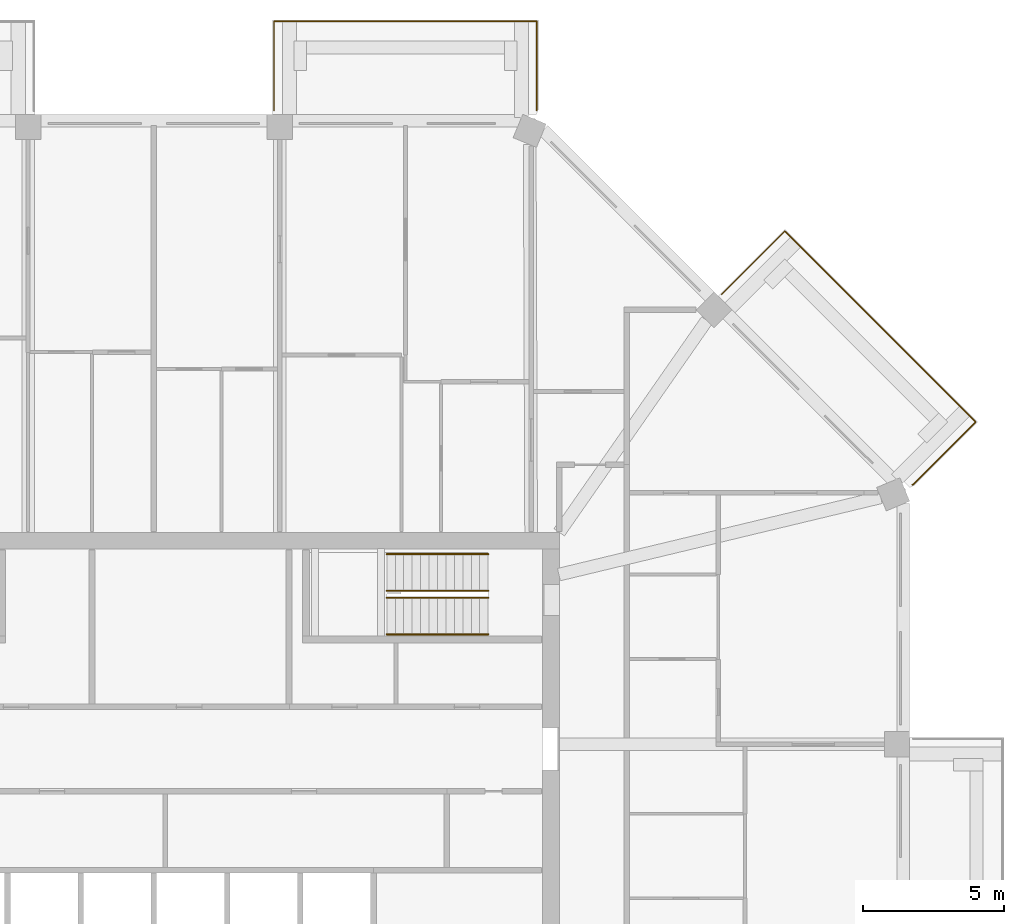
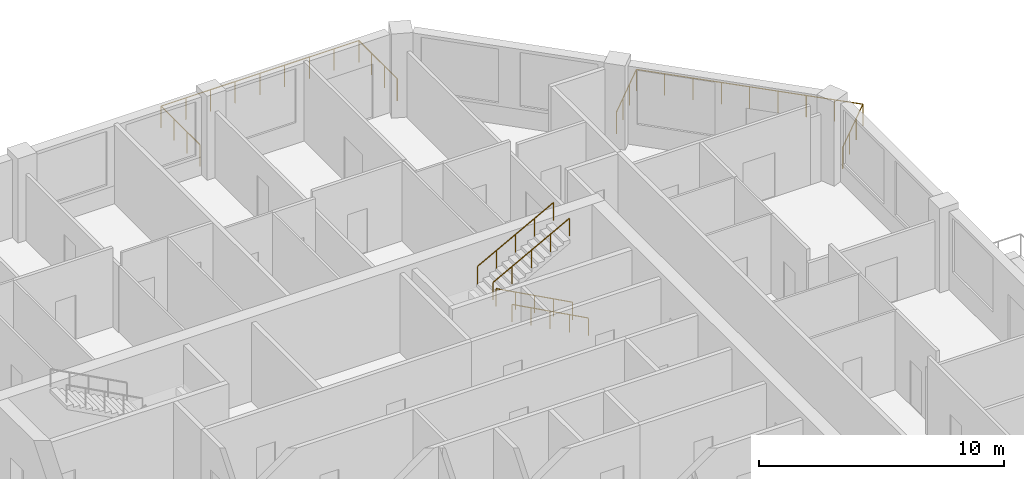
# One storey, part 13 of 13: 6 railings.
"""IFC4 building model written with IfcOpenShell, lengths in metres."""

import ifcopenshell
import ifcopenshell.guid

model = None  # the IFC model being written
_history = None  # IfcOwnerHistory: only IFC2X3 demands one
_inside = {}  # id of a spatial element -> (the spatial element, [elements in it])
_under = {}  # id of a project, library or spatial element -> (it, [spatial elements below it])
_declared = {}  # id of a project -> (the project, [libraries it declares])
_typed = {}  # id of a type object -> (the type object, [elements of that type])
_made_of = {}  # id of a material, layer set ... -> (it, [elements and type objects made of it])


def new_model(schema):
    """Start an empty IFC model of exactly this schema.

    Asked for "IFC4X3", IfcOpenShell would pick the latest addendum, in which some entities
    have other attributes; the version numbers below select the first issue.
    IFC2X3 requires an IfcOwnerHistory on every rooted entity: one is made here for all.
    """
    global model, _history
    if schema == "IFC4X3":
        model = ifcopenshell.file(schema_version=(4, 3, 0, 0))
    else:
        model = ifcopenshell.file(schema=schema)
    _inside.clear()
    _under.clear()
    _declared.clear()
    _typed.clear()
    _made_of.clear()
    _history = None
    if model.schema == "IFC2X3":
        org = make("IfcOrganization", Name="unknown")
        user = make(
            "IfcPersonAndOrganization",
            ThePerson=make("IfcPerson", FamilyName="unknown"),
            TheOrganization=org,
        )
        app = make(
            "IfcApplication",
            ApplicationDeveloper=org,
            Version="unknown",
            ApplicationFullName="unknown",
            ApplicationIdentifier="unknown",
        )
        _history = make(
            "IfcOwnerHistory",
            OwningUser=user,
            OwningApplication=app,
            ChangeAction="ADDED",
            CreationDate=0,
        )
    return model


def make(cls, **values):
    """One entity of the class cls with the attributes given. An attribute that is None is left unset."""
    return model.create_entity(
        cls, **{name: value for name, value in values.items() if value is not None}
    )


def rooted(cls, **values):
    """An entity with a GlobalId (a new one), such as an element, a storey or a relation."""
    return make(cls, GlobalId=ifcopenshell.guid.new(), OwnerHistory=_history, **values)


def si_unit(unit_type, name, prefix=None):
    """IfcSIUnit, for example si_unit("LENGTHUNIT", "METRE", prefix="MILLI")."""
    return make("IfcSIUnit", UnitType=unit_type, Prefix=prefix, Name=name)


def assignment(units):
    """IfcUnitAssignment: the units of a project."""
    return None if units is None else make("IfcUnitAssignment", Units=units)


def point(xyz):
    """IfcCartesianPoint."""
    return None if xyz is None else make("IfcCartesianPoint", Coordinates=xyz)


def direction(xyz):
    """IfcDirection."""
    return None if xyz is None else make("IfcDirection", DirectionRatios=xyz)


def frame(location, z_axis=None, x_axis=None):
    """IfcAxis2Placement3D, a coordinate frame: its origin and axes. An axis left out is left unset."""
    return make(
        "IfcAxis2Placement3D",
        Location=point(location),
        Axis=direction(z_axis),
        RefDirection=direction(x_axis),
    )


def frame_2d(location, x_axis=None):
    """IfcAxis2Placement2D, a coordinate frame in the plane: its origin and x axis."""
    return make(
        "IfcAxis2Placement2D", Location=point(location), RefDirection=direction(x_axis)
    )


def origin():
    """The frame at (0, 0, 0) with its axes left unset."""
    return frame((0.0, 0.0, 0.0))


def origin_2d():
    """The frame at (0, 0) in the plane with its x axis left unset."""
    return frame_2d((0.0, 0.0))


def place(relative_to, where):
    """IfcLocalPlacement: puts the frame where relative to a parent placement (None: the world)."""
    return make(
        "IfcLocalPlacement", PlacementRelTo=relative_to, RelativePlacement=where
    )


def context(
    kind, dimensions, precision=None, world=None, true_north=None, identifier=None
):
    """IfcGeometricRepresentationContext, for example the 3D "Model" context."""
    return make(
        "IfcGeometricRepresentationContext",
        ContextIdentifier=identifier,
        ContextType=kind,
        CoordinateSpaceDimension=dimensions,
        Precision=precision,
        WorldCoordinateSystem=world,
        TrueNorth=true_north,
    )


def subcontext(parent, identifier, kind, view, scale=None):
    """IfcGeometricRepresentationSubContext, for example "Body" below "Model"."""
    return make(
        "IfcGeometricRepresentationSubContext",
        ContextIdentifier=identifier,
        ContextType=kind,
        ParentContext=parent,
        TargetScale=scale,
        TargetView=view,
    )


def project(units=None, contexts=None):
    """IfcProject with its units and contexts."""
    return rooted(
        "IfcProject",
        Name="project",
        RepresentationContexts=contexts,
        UnitsInContext=assignment(units),
    )


def spatial(cls, under=None, at=None, **own):
    """A site, building, storey or space (cls), placed at a placement, below another one or the project."""
    s = rooted(cls, ObjectPlacement=at, **own)
    if under is not None:
        _under.setdefault(under.id(), (under, []))[1].append(s)
    return s


def profile(cls, at=None, kind="AREA", **sizes):
    """A parametric profile (cls). Its sizes go by their IFC names, for example OverallWidth=200.0."""
    return make(cls, ProfileType=kind, Position=at, **sizes)


def circle(**sizes):
    """IfcCircleProfileDef."""
    return profile("IfcCircleProfileDef", **sizes)


def extrude(swept, where, along, depth):
    """IfcExtrudedAreaSolid: the profile swept, set in the frame where, extruded along a direction by depth."""
    return make(
        "IfcExtrudedAreaSolid",
        SweptArea=swept,
        Position=where,
        ExtrudedDirection=direction(along),
        Depth=depth,
    )


def shape(context_of_items, identifier, shape_type, items):
    """IfcShapeRepresentation: the items that make up one representation, for example the "Body"."""
    return make(
        "IfcShapeRepresentation",
        ContextOfItems=context_of_items,
        RepresentationIdentifier=identifier,
        RepresentationType=shape_type,
        Items=items,
    )


def material(Name=None, Category=None):
    """IfcMaterial."""
    return make("IfcMaterial", Name=Name, Category=Category)


def constituent(of_material, Name=None, Category=None, fraction=None):
    """IfcMaterialConstituent: one of the materials an element consists of."""
    return make(
        "IfcMaterialConstituent",
        Name=Name,
        Material=of_material,
        Fraction=fraction,
        Category=Category,
    )


def constituent_set(constituents=None, Name=None):
    """IfcMaterialConstituentSet."""
    return make(
        "IfcMaterialConstituentSet", Name=Name, MaterialConstituents=constituents
    )


def made_of(thing, what):
    """Note that an element or type object is made of a material, layer set ...; save() writes the relation."""
    if what is not None:
        _made_of.setdefault(what.id(), (what, []))[1].append(thing)
    return thing


def type_object(cls, material=None, **own):
    """A type object (cls), such as IfcWallType, which elements share."""
    return made_of(rooted(cls, **own), material)


def element(
    cls,
    number,
    at=None,
    inside=None,
    cuts=None,
    type_object=None,
    material=None,
    context=None,
    identifier="Body",
    shape_type=None,
    held_by="IfcProductDefinitionShape",
    body=None,
    shapes=None,
    **own,
):
    """One element of the class cls, such as IfcWall. Its Tag is "e" and its number.

    at: its placement. inside: the storey or other place that contains it. cuts: it is an
    opening in that element (IfcRelVoidsElement). A single representation is given by context,
    identifier, shape_type and body (its items); several are given by shapes. held_by: the class
    of the entity that holds the representations. save() writes the other relations.
    """
    e = rooted(cls, Tag="e%d" % number, ObjectPlacement=at, **own)
    if body is not None:
        shapes = [shape(context, identifier, shape_type, body)]
    if shapes is not None:
        e.Representation = make(held_by, Representations=shapes)
    if inside is not None:
        _inside.setdefault(inside.id(), (inside, []))[1].append(e)
    if cuts is not None:
        rooted(
            "IfcRelVoidsElement", RelatingBuildingElement=cuts, RelatedOpeningElement=e
        )
    if type_object is not None:
        _typed.setdefault(type_object.id(), (type_object, []))[1].append(e)
    return made_of(e, material)


def aggregate(whole, parts):
    """IfcRelAggregates: a whole, such as a stair, and the parts it consists of."""
    return rooted("IfcRelAggregates", RelatingObject=whole, RelatedObjects=parts)


def save(model, path):
    """Write the relations noted so far, then the file.

    IfcRelAggregates (storeys below a building ...), IfcRelContainedInSpatialStructure (elements
    in a storey), IfcRelDefinesByType, IfcRelAssociatesMaterial and IfcRelDeclares: one each for
    every whole, place, type object, material and project.
    """
    for whole, parts in _under.values():
        aggregate(whole, parts)
    for where, things in _inside.values():
        rooted(
            "IfcRelContainedInSpatialStructure",
            RelatedElements=things,
            RelatingStructure=where,
        )
    for kind, things in _typed.values():
        rooted("IfcRelDefinesByType", RelatedObjects=things, RelatingType=kind)
    for what, things in _made_of.values():
        rooted("IfcRelAssociatesMaterial", RelatedObjects=things, RelatingMaterial=what)
    for by, libraries in _declared.values():
        rooted("IfcRelDeclares", RelatingContext=by, RelatedDefinitions=libraries)
    model.write(path)


model = new_model("IFC4")

# Units and contexts
model_context = context("Model", 3, precision=1e-05, world=origin(), true_north=direction((0.0, 1.0)))
body_context = subcontext(model_context, "Body", "Model", "MODEL_VIEW")
ifc_project = project(units=[si_unit("LENGTHUNIT", "METRE"), si_unit("AREAUNIT", "SQUARE_METRE"), si_unit("VOLUMEUNIT", "CUBIC_METRE"), si_unit("PLANEANGLEUNIT", "RADIAN"), si_unit("MASSUNIT", "GRAM", prefix="KILO")], contexts=[model_context])

# Site, building, storey
site_placement = place(None, origin())
site = spatial("IfcSite", under=ifc_project, at=site_placement, CompositionType="ELEMENT")
building_placement = place(site_placement, origin())
building = spatial("IfcBuilding", under=site, at=building_placement, Name="Msitu Wima Residences", CompositionType="ELEMENT")
storey_placement = place(building_placement, frame((0.0, 0.0, 285.300048828125)))
storey = spatial("IfcBuildingStorey", under=building, at=storey_placement, Name="L66", CompositionType="ELEMENT", Elevation=285.300048828125)

# Railings
ifc_material_1 = material(Name="Steel S355", Category="steel")
ifc_constituent_1 = constituent(ifc_material_1, Name="Steel S355")
ifc_material_2 = material(Name="Weathering patina")
ifc_constituent_2 = constituent(ifc_material_2, Name="Weathering patina")
ifc_constituent_set_1 = constituent_set(constituents=[ifc_constituent_1, ifc_constituent_2], Name="Steel S355")
railing_type_1 = type_object("IfcRailingType", Name="Balcony guard GR1100", PredefinedType="GUARDRAIL", material=ifc_constituent_set_1)
railing_1_placement = place(storey_placement, frame((20.171630859375, 20.45458984375, 0.0)))
element("IfcRailing", 1, at=railing_1_placement, inside=storey, type_object=railing_type_1, Name="Balcony guard NE0 L66", PredefinedType="GUARDRAIL", context=body_context, shape_type="SweptSolid", body=[
    extrude(circle(Radius=0.02392578125, at=origin_2d()), frame((0.0, 0.0, 1.076171875), z_axis=(0.707106781187, 0.707106781187, 0.0), x_axis=(-0.707106781187, 0.707106781187, 0.0)), (0.0, 0.0, 1.0), 3.169921875),
    extrude(circle(Radius=0.02392578125, at=origin_2d()), frame((2.241455078125, 2.241455078125, 1.076171875), z_axis=(0.707106781187, -0.707106781187, 0.0), x_axis=(0.707106781187, 0.707106781187, 0.0)), (0.0, 0.0, 1.0), 9.58837890625),
    extrude(circle(Radius=0.02392578125, at=origin_2d()), frame((9.021484375, -4.53857421875, 1.076171875), z_axis=(-0.707106781187, -0.707106781187, 0.0), x_axis=(0.707106781187, -0.707106781187, 0.0)), (0.0, 0.0, 1.0), 3.136474609375),
    extrude(circle(Radius=0.02392578125, at=origin_2d()), frame((6.8037109375, -6.75634765625, 1.076171875), z_axis=(-0.92426142649, -0.38176015442, 0.0), x_axis=(0.38176015442, -0.92426142649, 0.0)), (0.0, 0.0, 1.0), 0.036376953125),
    extrude(circle(Radius=0.02099609375, at=origin_2d()), origin(), (0.0, 0.0, 1.0), 1.052001953125),
    extrude(circle(Radius=0.02099609375, at=origin_2d()), frame((0.7470703125, 0.7470703125, 0.0)), (0.0, 0.0, 1.0), 1.052001953125),
    extrude(circle(Radius=0.02099609375, at=origin_2d()), frame((1.494384765625, 1.494384765625, 0.0)), (0.0, 0.0, 1.0), 1.052001953125),
    extrude(circle(Radius=0.02099609375, at=origin_2d()), frame((2.241455078125, 2.241455078125, 0.0)), (0.0, 0.0, 1.0), 1.052001953125),
    extrude(circle(Radius=0.02099609375, at=origin_2d()), frame((3.0888671875, 1.39404296875, 0.0)), (0.0, 0.0, 1.0), 1.052001953125),
    extrude(circle(Radius=0.02099609375, at=origin_2d()), frame((3.9365234375, 0.54638671875, 0.0)), (0.0, 0.0, 1.0), 1.052001953125),
    extrude(circle(Radius=0.02099609375, at=origin_2d()), frame((4.783935546875, -0.301025390625, 0.0)), (0.0, 0.0, 1.0), 1.052001953125),
    extrude(circle(Radius=0.02099609375, at=origin_2d()), frame((5.63134765625, -1.1484375, 0.0)), (0.0, 0.0, 1.0), 1.052001953125),
    extrude(circle(Radius=0.02099609375, at=origin_2d()), frame((6.47900390625, -1.99609375, 0.0)), (0.0, 0.0, 1.0), 1.052001953125),
    extrude(circle(Radius=0.02099609375, at=origin_2d()), frame((7.326416015625, -2.843505859375, 0.0)), (0.0, 0.0, 1.0), 1.052001953125),
    extrude(circle(Radius=0.02099609375, at=origin_2d()), frame((8.174072265625, -3.691162109375, 0.0)), (0.0, 0.0, 1.0), 1.052001953125),
    extrude(circle(Radius=0.02099609375, at=origin_2d()), frame((9.021484375, -4.53857421875, 0.0)), (0.0, 0.0, 1.0), 1.052001953125),
    extrude(circle(Radius=0.02099609375, at=origin_2d()), frame((8.2822265625, -5.27783203125, 0.0)), (0.0, 0.0, 1.0), 1.052001953125),
    extrude(circle(Radius=0.02099609375, at=origin_2d()), frame((7.54296875, -6.01708984375, 0.0)), (0.0, 0.0, 1.0), 1.052001953125),
    extrude(circle(Radius=0.02099609375, at=origin_2d()), frame((6.8037109375, -6.75634765625, 0.0)), (0.0, 0.0, 1.0), 1.052001953125),
    extrude(circle(Radius=0.02099609375, at=origin_2d()), frame((6.77001953125, -6.770263671875, 0.0)), (0.0, 0.0, 1.0), 1.052001953125),
])
railing_2_placement = place(storey_placement, frame((4.2685546875, 26.97998046875, 0.0)))
element("IfcRailing", 2, at=railing_2_placement, inside=storey, type_object=railing_type_1, Name="Balcony guard N0 L66", PredefinedType="GUARDRAIL", context=body_context, shape_type="SweptSolid", body=[
    extrude(circle(Radius=0.02392578125, at=origin_2d()), frame((0.0, 0.0, 1.076171875), z_axis=(0.0, 1.0, 0.0), x_axis=(-1.0, 0.0, 0.0)), (0.0, 0.0, 1.0), 3.169921875),
    extrude(circle(Radius=0.02392578125, at=origin_2d()), frame((0.0, 3.169921875, 1.076171875), z_axis=(1.0, 0.0, 0.0), x_axis=(0.0, 1.0, 0.0)), (0.0, 0.0, 1.0), 9.33740234375),
    extrude(circle(Radius=0.02392578125, at=origin_2d()), frame((9.33740234375, 3.169921875, 1.076171875), z_axis=(0.0, -1.0, 0.0), x_axis=(1.0, 0.0, 0.0)), (0.0, 0.0, 1.0), 3.136474609375),
    extrude(circle(Radius=0.02392578125, at=origin_2d()), frame((9.33740234375, 0.033447265625, 1.076171875), z_axis=(-0.384136806859, -0.923276184907, 0.0), x_axis=(0.923276184907, -0.384136806859, 0.0)), (0.0, 0.0, 1.0), 0.0361328125),
    extrude(circle(Radius=0.02099609375, at=origin_2d()), origin(), (0.0, 0.0, 1.0), 1.052001953125),
    extrude(circle(Radius=0.02099609375, at=origin_2d()), frame((0.0, 1.056640625, 0.0)), (0.0, 0.0, 1.0), 1.052001953125),
    extrude(circle(Radius=0.02099609375, at=origin_2d()), frame((0.0, 2.11328125, 0.0)), (0.0, 0.0, 1.0), 1.052001953125),
    extrude(circle(Radius=0.02099609375, at=origin_2d()), frame((0.0, 3.169921875, 0.0)), (0.0, 0.0, 1.0), 1.052001953125),
    extrude(circle(Radius=0.02099609375, at=origin_2d()), frame((1.167236328125, 3.169921875, 0.0)), (0.0, 0.0, 1.0), 1.052001953125),
    extrude(circle(Radius=0.02099609375, at=origin_2d()), frame((2.33447265625, 3.169921875, 0.0)), (0.0, 0.0, 1.0), 1.052001953125),
    extrude(circle(Radius=0.02099609375, at=origin_2d()), frame((3.50146484375, 3.169921875, 0.0)), (0.0, 0.0, 1.0), 1.052001953125),
    extrude(circle(Radius=0.02099609375, at=origin_2d()), frame((4.668701171875, 3.169921875, 0.0)), (0.0, 0.0, 1.0), 1.052001953125),
    extrude(circle(Radius=0.02099609375, at=origin_2d()), frame((5.8359375, 3.169921875, 0.0)), (0.0, 0.0, 1.0), 1.052001953125),
    extrude(circle(Radius=0.02099609375, at=origin_2d()), frame((7.0029296875, 3.169921875, 0.0)), (0.0, 0.0, 1.0), 1.052001953125),
    extrude(circle(Radius=0.02099609375, at=origin_2d()), frame((8.170166015625, 3.169921875, 0.0)), (0.0, 0.0, 1.0), 1.052001953125),
    extrude(circle(Radius=0.02099609375, at=origin_2d()), frame((9.33740234375, 3.169921875, 0.0)), (0.0, 0.0, 1.0), 1.052001953125),
    extrude(circle(Radius=0.02099609375, at=origin_2d()), frame((9.33740234375, 2.12451171875, 0.0)), (0.0, 0.0, 1.0), 1.052001953125),
    extrude(circle(Radius=0.02099609375, at=origin_2d()), frame((9.33740234375, 1.078857421875, 0.0)), (0.0, 0.0, 1.0), 1.052001953125),
    extrude(circle(Radius=0.02099609375, at=origin_2d()), frame((9.33740234375, 0.033447265625, 0.0)), (0.0, 0.0, 1.0), 1.052001953125),
    extrude(circle(Radius=0.02099609375, at=origin_2d()), frame((9.323486328125, 0.0, 0.0)), (0.0, 0.0, 1.0), 1.052001953125),
])
ifc_constituent_3 = constituent(ifc_material_1, Name="Steel S355")
ifc_material_3 = material(Name="Black powder coating")
ifc_constituent_4 = constituent(ifc_material_3, Name="Black powder coating")
ifc_constituent_set_2 = constituent_set(constituents=[ifc_constituent_3, ifc_constituent_4], Name="Steel S355")
railing_type_2 = type_object("IfcRailingType", Name="Stair handrail HR1", PredefinedType="HANDRAIL", material=ifc_constituent_set_2)
for number, where, name in (
    (3, (11.875, 8.375, 0.161376953125), "Stair 3 handrail"),
    (4, (11.875, 9.675048828125, 0.161376953125), "Stair 3 handrail"),
):
    element("IfcRailing", number, at=place(storey_placement, frame(where)), inside=storey, type_object=railing_type_2, Name=name, PredefinedType="HANDRAIL", context=body_context, shape_type="SweptSolid", body=[
        extrude(circle(Radius=0.02392578125, at=origin_2d()), frame((0.0, 0.0, 0.8759765625), z_axis=(-0.880474934443, 0.0, 0.474092701714), x_axis=(0.0, -1.0, 0.0)), (0.0, 0.0, 1.0), 4.0888671875),
        extrude(circle(Radius=0.02099609375, at=origin_2d()), origin(), (0.0, 0.0, 1.0), 0.851806640625),
        extrude(circle(Radius=0.02099609375, at=origin_2d()), frame((-0.89990234375, 0.0, 0.484619140625)), (0.0, 0.0, 1.0), 0.851806640625),
        extrude(circle(Radius=0.02099609375, at=origin_2d()), frame((-1.800048828125, 0.0, 0.96923828125)), (0.0, 0.0, 1.0), 0.851806640625),
        extrude(circle(Radius=0.02099609375, at=origin_2d()), frame((-2.7001953125, 0.0, 1.453857421875)), (0.0, 0.0, 1.0), 0.851806640625),
        extrude(circle(Radius=0.02099609375, at=origin_2d()), frame((-3.60009765625, 0.0, 1.9384765625)), (0.0, 0.0, 1.0), 0.851806640625),
    ])
for number, where, name in (
    (5, (8.27490234375, 9.925048828125, 2.261474609375), "Stair 3 handrail"),
    (6, (8.27490234375, 11.22509765625, 2.261474609375), "Stair 3 handrail"),
):
    element("IfcRailing", number, at=place(storey_placement, frame(where)), inside=storey, type_object=railing_type_2, Name=name, PredefinedType="HANDRAIL", context=body_context, shape_type="SweptSolid", body=[
        extrude(circle(Radius=0.02392578125, at=origin_2d()), frame((0.0, 0.0, 0.8759765625), z_axis=(0.880474934443, 0.0, 0.474092701714), x_axis=(0.0, 1.0, 0.0)), (0.0, 0.0, 1.0), 4.0888671875),
        extrude(circle(Radius=0.02099609375, at=origin_2d()), origin(), (0.0, 0.0, 1.0), 0.851806640625),
        extrude(circle(Radius=0.02099609375, at=origin_2d()), frame((0.89990234375, 0.0, 0.484619140625)), (0.0, 0.0, 1.0), 0.851806640625),
        extrude(circle(Radius=0.02099609375, at=origin_2d()), frame((1.800048828125, 0.0, 0.96923828125)), (0.0, 0.0, 1.0), 0.851806640625),
        extrude(circle(Radius=0.02099609375, at=origin_2d()), frame((2.7001953125, 0.0, 1.453857421875)), (0.0, 0.0, 1.0), 0.851806640625),
        extrude(circle(Radius=0.02099609375, at=origin_2d()), frame((3.60009765625, 0.0, 1.9384765625)), (0.0, 0.0, 1.0), 0.851806640625),
    ])

save(model, "model.ifc")
